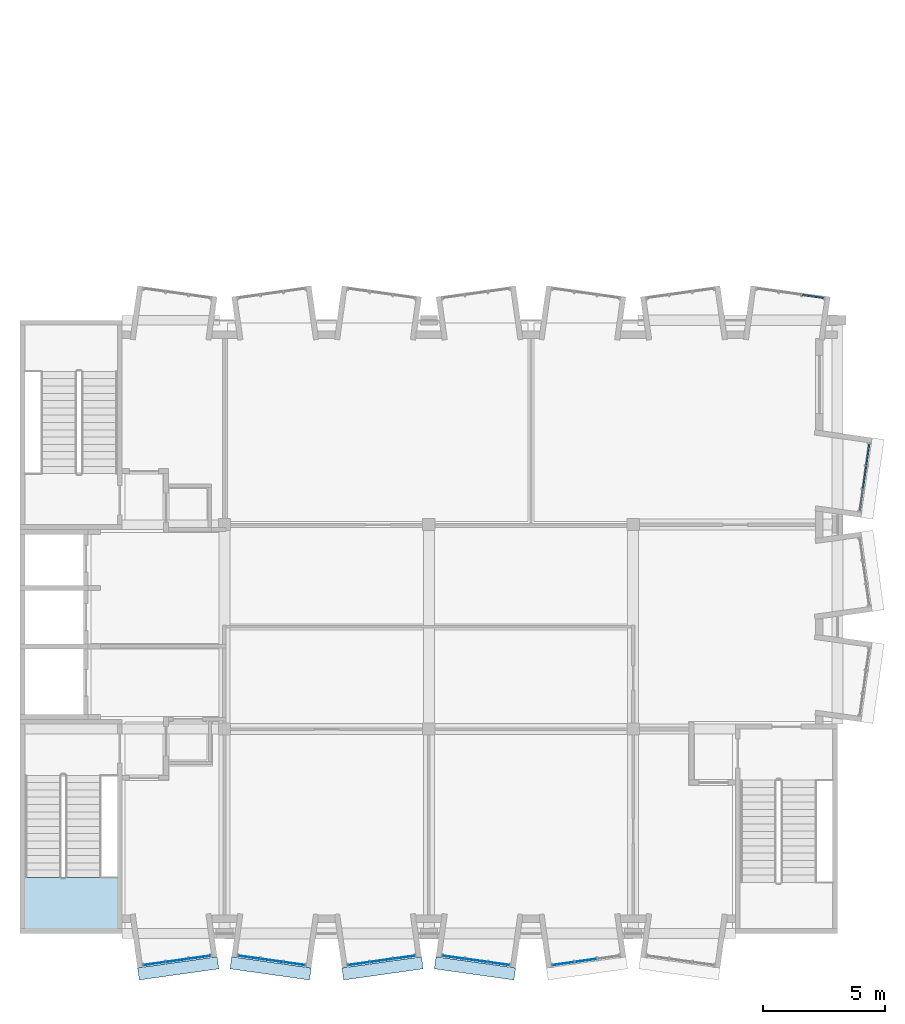
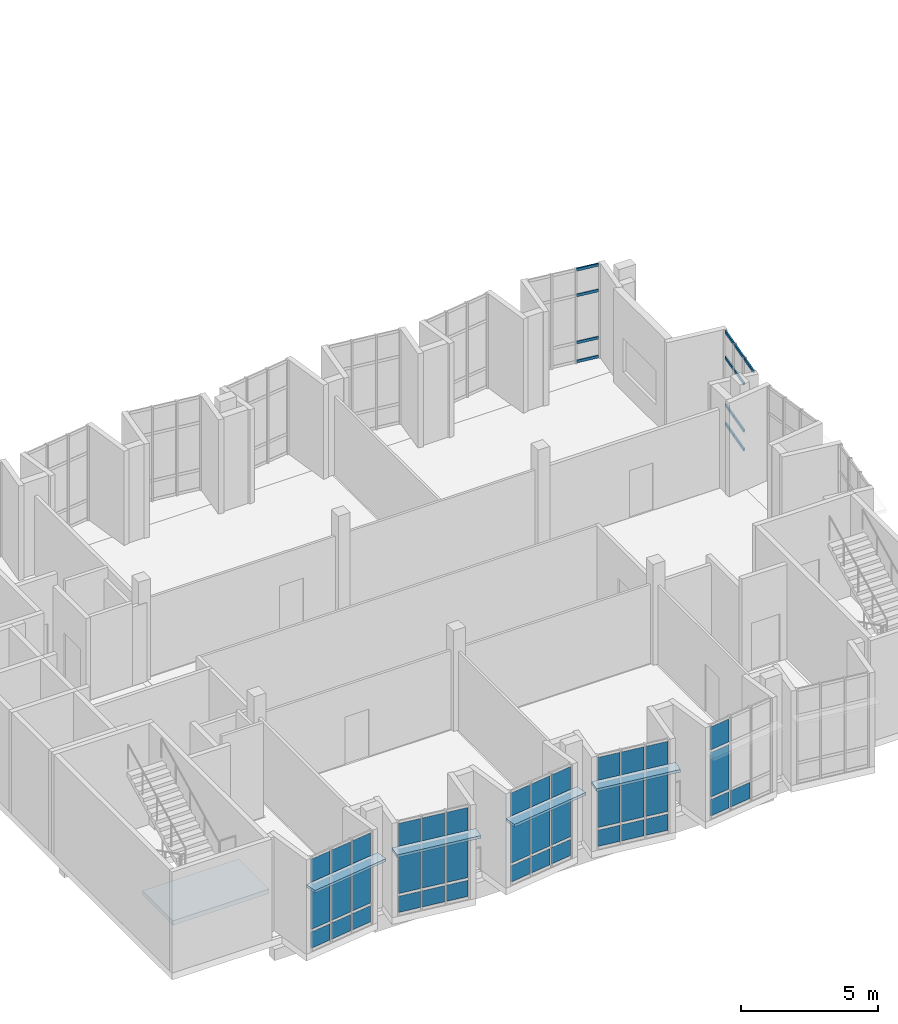
# One storey, part 8 of 18: 44 plates, 13 members, 1 slab, 8 elements without a shape of their own.
"""IFC4 building model written with IfcOpenShell, lengths in metres."""

from ifc_helpers import new_model, si_unit, direction, frame, origin, origin_2d, place, context, subcontext, project, spatial, polyline, rectangle, outline, extrude, material, layer, layer_set, material_profile, profile_set, type_object, element, aggregate, save


model = new_model("IFC4")

# Units and contexts
model_context = context("Model", 3, precision=1e-05, world=origin(), true_north=direction((0.0, 1.0)))
body_context = subcontext(model_context, "Body", "Model", "MODEL_VIEW")
ifc_project = project(units=[si_unit("LENGTHUNIT", "METRE"), si_unit("AREAUNIT", "SQUARE_METRE"), si_unit("VOLUMEUNIT", "CUBIC_METRE"), si_unit("PLANEANGLEUNIT", "RADIAN"), si_unit("MASSUNIT", "GRAM", prefix="KILO")], contexts=[model_context])

# Site, building, storey
site_placement = place(None, origin())
site = spatial("IfcSite", under=ifc_project, at=site_placement, CompositionType="ELEMENT")
building_placement = place(site_placement, origin())
building = spatial("IfcBuilding", under=site, at=building_placement, Name="Kiln Court Media Centre", CompositionType="ELEMENT")
storey_placement = place(building_placement, frame((0.0, 0.0, 33.60009765625)))
storey = spatial("IfcBuildingStorey", under=building, at=storey_placement, Name="L07", CompositionType="ELEMENT", Elevation=33.60009765625)

# Curtain wall, members
ifc_material_1 = material(Name="Aluminium 6063-T6", Category="aluminium")
ifc_layer_1 = layer(ifc_material_1, 0.1201171875)
ifc_layer_set_1 = layer_set([ifc_layer_1], Name="Aluminium unitised bay curtain wall")
curtain_wall_type = type_object("IfcCurtainWallType", Name="Aluminium unitised bay curtain wall", PredefinedType="USERDEFINED", material=ifc_layer_set_1)
curtain_wall_1_placement = place(storey_placement, origin())
curtain_wall_1 = element("IfcCurtainWall", 1, at=curtain_wall_1_placement, inside=storey, type_object=curtain_wall_type, Name="BAY V6A-E-L07-16 front", ObjectType="UNITISED CURTAIN WALL", PredefinedType="USERDEFINED")
ifc_material_2 = material(Name="Aluminium 6063-T6", Category="aluminium")
ifc_material_profile = material_profile(ifc_material_2, rectangle(XDim=0.06005859375, YDim=0.1201171875, at=origin_2d()), Name="Aluminium transom 60x120")
ifc_profile_set = profile_set([ifc_material_profile], Name="Aluminium 6063-T6")
member_type = type_object("IfcMemberType", Name="Aluminium transom 60x120", PredefinedType="USERDEFINED", material=ifc_profile_set)
member_1_placement = place(storey_placement, frame((34.517822265625, 17.382568359375, 4.139892578125), z_axis=(0.139172815303, 0.990268108888, 0.0), x_axis=(-0.990268108888, 0.139172815303, 0.0)))
member_1 = element("IfcMember", 2, at=member_1_placement, type_object=member_type, Name="CW7-03 transom 1.4", ObjectType="TRANSOM", PredefinedType="USERDEFINED", context=body_context, shape_type="SweptSolid", body=[
    extrude(rectangle(XDim=0.06005859375, YDim=0.1201171875, at=origin_2d()), origin(), (0.0, 0.0, 1.0), 0.86669921875),
])
member_2_placement = place(storey_placement, frame((34.646728515625, 18.30029296875, 0.059814453125), z_axis=(0.13913384707, 0.990273584723, 0.0), x_axis=(-0.990273584723, 0.13913384707, 0.0)))
member_2 = element("IfcMember", 3, at=member_2_placement, type_object=member_type, Name="CW7-03 transom 2.1", ObjectType="TRANSOM", PredefinedType="USERDEFINED", context=body_context, shape_type="SweptSolid", body=[
    extrude(rectangle(XDim=0.06005859375, YDim=0.1201171875, at=origin_2d()), origin(), (0.0, 0.0, 1.0), 0.896728515625),
])
member_3_placement = place(storey_placement, frame((34.646728515625, 18.30029296875, 0.89990234375), z_axis=(0.13913384707, 0.990273584723, 0.0), x_axis=(-0.990273584723, 0.13913384707, 0.0)))
member_3 = element("IfcMember", 4, at=member_3_placement, type_object=member_type, Name="CW7-03 transom 2.2", ObjectType="TRANSOM", PredefinedType="USERDEFINED", context=body_context, shape_type="SweptSolid", body=[
    extrude(rectangle(XDim=0.06005859375, YDim=0.1201171875, at=origin_2d()), origin(), (0.0, 0.0, 1.0), 0.896728515625),
])
member_4_placement = place(storey_placement, frame((34.646728515625, 18.30029296875, 3.0), z_axis=(0.13913384707, 0.990273584723, 0.0), x_axis=(-0.990273584723, 0.13913384707, 0.0)))
member_4 = element("IfcMember", 5, at=member_4_placement, type_object=member_type, Name="CW7-03 transom 2.3", ObjectType="TRANSOM", PredefinedType="USERDEFINED", context=body_context, shape_type="SweptSolid", body=[
    extrude(rectangle(XDim=0.06005859375, YDim=0.1201171875, at=origin_2d()), origin(), (0.0, 0.0, 1.0), 0.896728515625),
])
member_5_placement = place(storey_placement, frame((34.646728515625, 18.30029296875, 4.139892578125), z_axis=(0.13913384707, 0.990273584723, 0.0), x_axis=(-0.990273584723, 0.13913384707, 0.0)))
member_5 = element("IfcMember", 6, at=member_5_placement, type_object=member_type, Name="CW7-03 transom 2.4", ObjectType="TRANSOM", PredefinedType="USERDEFINED", context=body_context, shape_type="SweptSolid", body=[
    extrude(rectangle(XDim=0.06005859375, YDim=0.1201171875, at=origin_2d()), origin(), (0.0, 0.0, 1.0), 0.896728515625),
])
member_6_placement = place(storey_placement, frame((34.77978515625, 19.24755859375, 0.059814453125), z_axis=(0.139172815303, 0.990268108888, 0.0), x_axis=(-0.990268108888, 0.139172815303, 0.0)))
member_6 = element("IfcMember", 7, at=member_6_placement, type_object=member_type, Name="CW7-03 transom 3.1", ObjectType="TRANSOM", PredefinedType="USERDEFINED", context=body_context, shape_type="SweptSolid", body=[
    extrude(rectangle(XDim=0.06005859375, YDim=0.1201171875, at=origin_2d()), origin(), (0.0, 0.0, 1.0), 0.86669921875),
])
member_7_placement = place(storey_placement, frame((34.77978515625, 19.24755859375, 0.89990234375), z_axis=(0.139172815303, 0.990268108888, 0.0), x_axis=(-0.990268108888, 0.139172815303, 0.0)))
member_7 = element("IfcMember", 8, at=member_7_placement, type_object=member_type, Name="CW7-03 transom 3.2", ObjectType="TRANSOM", PredefinedType="USERDEFINED", context=body_context, shape_type="SweptSolid", body=[
    extrude(rectangle(XDim=0.06005859375, YDim=0.1201171875, at=origin_2d()), origin(), (0.0, 0.0, 1.0), 0.86669921875),
])
member_8_placement = place(storey_placement, frame((34.77978515625, 19.24755859375, 3.0), z_axis=(0.139172815303, 0.990268108888, 0.0), x_axis=(-0.990268108888, 0.139172815303, 0.0)))
member_8 = element("IfcMember", 9, at=member_8_placement, type_object=member_type, Name="CW7-03 transom 3.3", ObjectType="TRANSOM", PredefinedType="USERDEFINED", context=body_context, shape_type="SweptSolid", body=[
    extrude(rectangle(XDim=0.06005859375, YDim=0.1201171875, at=origin_2d()), origin(), (0.0, 0.0, 1.0), 0.86669921875),
])
member_9_placement = place(storey_placement, frame((34.77978515625, 19.24755859375, 4.139892578125), z_axis=(0.139172815303, 0.990268108888, 0.0), x_axis=(-0.990268108888, 0.139172815303, 0.0)))
member_9 = element("IfcMember", 10, at=member_9_placement, type_object=member_type, Name="CW7-03 transom 3.4", ObjectType="TRANSOM", PredefinedType="USERDEFINED", context=body_context, shape_type="SweptSolid", body=[
    extrude(rectangle(XDim=0.06005859375, YDim=0.1201171875, at=origin_2d()), origin(), (0.0, 0.0, 1.0), 0.86669921875),
])
aggregate(curtain_wall_1, [member_1, member_2, member_3, member_4, member_5, member_6, member_7, member_8, member_9])

curtain_wall_2_placement = place(storey_placement, origin())
curtain_wall_2 = element("IfcCurtainWall", 11, at=curtain_wall_2_placement, inside=storey, type_object=curtain_wall_type, Name="BAY V6A-N-L07-51 front", ObjectType="UNITISED CURTAIN WALL", PredefinedType="USERDEFINED")
member_10_placement = place(storey_placement, frame((32.1591796875, 26.23828125, 0.059814453125), z_axis=(0.990273563383, -0.139133998951, 0.0), x_axis=(0.139133998951, 0.990273563383, 0.0)))
member_10 = element("IfcMember", 12, at=member_10_placement, type_object=member_type, Name="CW7-10 transom 3.1", ObjectType="TRANSOM", PredefinedType="USERDEFINED", context=body_context, shape_type="SweptSolid", body=[
    extrude(rectangle(XDim=0.06005859375, YDim=0.1201171875, at=origin_2d()), origin(), (0.0, 0.0, 1.0), 0.866943359375),
])
member_11_placement = place(storey_placement, frame((32.1591796875, 26.23828125, 0.89990234375), z_axis=(0.990273563383, -0.139133998951, 0.0), x_axis=(0.139133998951, 0.990273563383, 0.0)))
member_11 = element("IfcMember", 13, at=member_11_placement, type_object=member_type, Name="CW7-10 transom 3.2", ObjectType="TRANSOM", PredefinedType="USERDEFINED", context=body_context, shape_type="SweptSolid", body=[
    extrude(rectangle(XDim=0.06005859375, YDim=0.1201171875, at=origin_2d()), origin(), (0.0, 0.0, 1.0), 0.866943359375),
])
member_12_placement = place(storey_placement, frame((32.1591796875, 26.23828125, 3.0), z_axis=(0.990273563383, -0.139133998951, 0.0), x_axis=(0.139133998951, 0.990273563383, 0.0)))
member_12 = element("IfcMember", 14, at=member_12_placement, type_object=member_type, Name="CW7-10 transom 3.3", ObjectType="TRANSOM", PredefinedType="USERDEFINED", context=body_context, shape_type="SweptSolid", body=[
    extrude(rectangle(XDim=0.06005859375, YDim=0.1201171875, at=origin_2d()), origin(), (0.0, 0.0, 1.0), 0.866943359375),
])
member_13_placement = place(storey_placement, frame((32.1591796875, 26.23828125, 4.139892578125), z_axis=(0.990273563383, -0.139133998951, 0.0), x_axis=(0.139133998951, 0.990273563383, 0.0)))
member_13 = element("IfcMember", 15, at=member_13_placement, type_object=member_type, Name="CW7-10 transom 3.4", ObjectType="TRANSOM", PredefinedType="USERDEFINED", context=body_context, shape_type="SweptSolid", body=[
    extrude(rectangle(XDim=0.06005859375, YDim=0.1201171875, at=origin_2d()), origin(), (0.0, 0.0, 1.0), 0.866943359375),
])
aggregate(curtain_wall_2, [member_10, member_11, member_12, member_13])

# Plates
ifc_material_3 = material(Name="Concrete C30/37", Category="concrete")
ifc_layer_2 = layer(ifc_material_3, 0.1201171875)
ifc_layer_set_2 = layer_set([ifc_layer_2], Name="Concrete C30/37 sunshade hood 120")
plate_type_1 = type_object("IfcPlateType", Name="Concrete C30/37 sunshade hood 120", PredefinedType="USERDEFINED", material=ifc_layer_set_2)
plate_1_placement = place(storey_placement, frame((0.0, 0.0, 3.0)))
element("IfcPlate", 16, at=plate_1_placement, inside=storey, type_object=plate_type_1, Name="SUNSHADE V6A-S-L07-47", ObjectType="SUNSHADE", PredefinedType="USERDEFINED", context=body_context, shape_type="SweptSolid", body=[
    extrude(outline(polyline([(4.8330078125, -1.41796875), (8.10107421875, -0.958740234375), (8.17041015625, -1.453857421875), (4.902587890625, -1.9130859375), (4.8330078125, -1.41796875)])), origin(), (0.0, 0.0, 1.0), 0.119873046875),
])
plate_2_placement = place(storey_placement, frame((0.0, 0.0, 3.0)))
element("IfcPlate", 17, at=plate_2_placement, inside=storey, type_object=plate_type_1, Name="SUNSHADE V6A-S-L07-48", ObjectType="SUNSHADE", PredefinedType="USERDEFINED", context=body_context, shape_type="SweptSolid", body=[
    extrude(outline(polyline([(8.698974609375, -0.958740234375), (11.966796875, -1.41796875), (11.897216796875, -1.9130859375), (8.62939453125, -1.453857421875), (8.698974609375, -0.958740234375)])), origin(), (0.0, 0.0, 1.0), 0.119873046875),
])
plate_3_placement = place(storey_placement, frame((0.0, 0.0, 3.0)))
element("IfcPlate", 18, at=plate_3_placement, inside=storey, type_object=plate_type_1, Name="SUNSHADE V6A-S-L07-49", ObjectType="SUNSHADE", PredefinedType="USERDEFINED", context=body_context, shape_type="SweptSolid", body=[
    extrude(outline(polyline([(13.233154296875, -1.41796875), (16.5009765625, -0.958740234375), (16.570556640625, -1.453857421875), (13.302734375, -1.9130859375), (13.233154296875, -1.41796875)])), origin(), (0.0, 0.0, 1.0), 0.119873046875),
])
plate_4_placement = place(storey_placement, frame((0.0, 0.0, 3.0)))
element("IfcPlate", 19, at=plate_4_placement, inside=storey, type_object=plate_type_1, Name="SUNSHADE V6A-S-L07-50", ObjectType="SUNSHADE", PredefinedType="USERDEFINED", context=body_context, shape_type="SweptSolid", body=[
    extrude(outline(polyline([(17.09912109375, -0.958740234375), (20.366943359375, -1.41796875), (20.29736328125, -1.9130859375), (17.029541015625, -1.453857421875), (17.09912109375, -0.958740234375)])), origin(), (0.0, 0.0, 1.0), 0.119873046875),
])

# Stair, slab
ifc_material_4 = material(Name="Concrete C40/50", Category="concrete")
stair_type = type_object("IfcStairType", Name="Concrete C40/50 dog-leg stair 1500 wide, 150 riser", PredefinedType="HALF_TURN_STAIR", material=ifc_material_4)
stair_placement = place(storey_placement, origin())
stair = element("IfcStair", 20, at=stair_placement, inside=storey, type_object=stair_type, Name="ST-01 L07", PredefinedType="HALF_TURN_STAIR")
ifc_material_5 = material(Name="Concrete C40/50", Category="concrete")
ifc_layer_3 = layer(ifc_material_5, 0.199951171875)
ifc_layer_set_3 = layer_set([ifc_layer_3], Name="Concrete C40/50 stair landing 200")
slab_type = type_object("IfcSlabType", Name="Concrete C40/50 stair landing 200", PredefinedType="LANDING", material=ifc_layer_set_3)
slab_placement = place(storey_placement, frame((0.0, 0.0, 2.0498046875)))
slab = element("IfcSlab", 21, at=slab_placement, type_object=slab_type, Name="L07-ST-5000 landing 5000", PredefinedType="LANDING", context=body_context, shape_type="SweptSolid", body=[
    extrude(outline(polyline([(0.080078125, 2.300048828125), (0.080078125, 0.080078125), (4.1201171875, 0.080078125), (4.1201171875, 2.300048828125), (0.080078125, 2.300048828125)])), origin(), (0.0, 0.0, 1.0), 0.2001953125),
])
aggregate(stair, [slab])

# Curtain wall, plates
curtain_wall_3_placement = place(storey_placement, origin())
curtain_wall_3 = element("IfcCurtainWall", 22, at=curtain_wall_3_placement, inside=storey, type_object=curtain_wall_type, Name="BAY V6A-S-L07-47 front", ObjectType="UNITISED CURTAIN WALL", PredefinedType="USERDEFINED")
ifc_material_6 = material(Name="Aluminium insulated spandrel", Category="aluminium")
ifc_layer_4 = layer(ifc_material_6, 0.028076171875)
ifc_layer_set_4 = layer_set([ifc_layer_4], Name="Insulated spandrel panel 28")
plate_type_2 = type_object("IfcPlateType", Name="Insulated spandrel panel 28", PredefinedType="CURTAIN_PANEL", material=ifc_layer_set_4)
plate_5_placement = place(storey_placement, frame((5.5234375, -1.240234375, 0.1201171875), z_axis=(0.0, 0.0, 1.0), x_axis=(0.990269562409, 0.139162472554, 0.0)))
plate_5 = element("IfcPlate", 23, at=plate_5_placement, type_object=plate_type_2, Name="CW7-11 panel 1.1", PredefinedType="CURTAIN_PANEL", context=body_context, shape_type="SweptSolid", body=[
    extrude(rectangle(XDim=0.86669921875, YDim=0.028076171875, at=origin_2d()), origin(), (0.0, 0.0, 1.0), 0.719970703125),
])
plate_6_placement = place(storey_placement, frame((6.455810546875, -1.109130859375, 0.1201171875), z_axis=(0.0, 0.0, 1.0), x_axis=(0.990269562409, 0.139162472554, 0.0)))
plate_6 = element("IfcPlate", 24, at=plate_6_placement, type_object=plate_type_2, Name="CW7-11 panel 2.1", PredefinedType="CURTAIN_PANEL", context=body_context, shape_type="SweptSolid", body=[
    extrude(rectangle(XDim=0.896728515625, YDim=0.028076171875, at=origin_2d()), origin(), (0.0, 0.0, 1.0), 0.719970703125),
])
plate_7_placement = place(storey_placement, frame((7.388427734375, -0.97802734375, 0.1201171875), z_axis=(0.0, 0.0, 1.0), x_axis=(0.990269562409, 0.139162472554, 0.0)))
plate_7 = element("IfcPlate", 25, at=plate_7_placement, type_object=plate_type_2, Name="CW7-11 panel 3.1", PredefinedType="CURTAIN_PANEL", context=body_context, shape_type="SweptSolid", body=[
    extrude(rectangle(XDim=0.86669921875, YDim=0.028076171875, at=origin_2d()), origin(), (0.0, 0.0, 1.0), 0.719970703125),
])

curtain_wall_4_placement = place(storey_placement, origin())
curtain_wall_4 = element("IfcCurtainWall", 26, at=curtain_wall_4_placement, inside=storey, type_object=curtain_wall_type, Name="BAY V6A-S-L07-48 front", ObjectType="UNITISED CURTAIN WALL", PredefinedType="USERDEFINED")
plate_8_placement = place(storey_placement, frame((9.41162109375, -0.97802734375, 0.1201171875), z_axis=(0.0, 0.0, 1.0), x_axis=(0.990269562409, -0.139162472554, 0.0)))
plate_8 = element("IfcPlate", 27, at=plate_8_placement, type_object=plate_type_2, Name="CW7-12 panel 1.1", PredefinedType="CURTAIN_PANEL", context=body_context, shape_type="SweptSolid", body=[
    extrude(rectangle(XDim=0.86669921875, YDim=0.028076171875, at=origin_2d()), origin(), (0.0, 0.0, 1.0), 0.719970703125),
])
plate_9_placement = place(storey_placement, frame((10.34423828125, -1.109130859375, 0.1201171875), z_axis=(0.0, 0.0, 1.0), x_axis=(0.990269562409, -0.139162472554, 0.0)))
plate_9 = element("IfcPlate", 28, at=plate_9_placement, type_object=plate_type_2, Name="CW7-12 panel 2.1", PredefinedType="CURTAIN_PANEL", context=body_context, shape_type="SweptSolid", body=[
    extrude(rectangle(XDim=0.896728515625, YDim=0.028076171875, at=origin_2d()), origin(), (0.0, 0.0, 1.0), 0.719970703125),
])
plate_10_placement = place(storey_placement, frame((11.276611328125, -1.240234375, 0.1201171875), z_axis=(0.0, 0.0, 1.0), x_axis=(0.990269562409, -0.139162472554, 0.0)))
plate_10 = element("IfcPlate", 29, at=plate_10_placement, type_object=plate_type_2, Name="CW7-12 panel 3.1", PredefinedType="CURTAIN_PANEL", context=body_context, shape_type="SweptSolid", body=[
    extrude(rectangle(XDim=0.86669921875, YDim=0.028076171875, at=origin_2d()), origin(), (0.0, 0.0, 1.0), 0.719970703125),
])

curtain_wall_5_placement = place(storey_placement, origin())
curtain_wall_5 = element("IfcCurtainWall", 30, at=curtain_wall_5_placement, inside=storey, type_object=curtain_wall_type, Name="BAY V6A-S-L07-49 front", ObjectType="UNITISED CURTAIN WALL", PredefinedType="USERDEFINED")
plate_11_placement = place(storey_placement, frame((13.92333984375, -1.240234375, 0.1201171875), z_axis=(0.0, 0.0, 1.0), x_axis=(0.990269562409, 0.139162472554, 0.0)))
plate_11 = element("IfcPlate", 31, at=plate_11_placement, type_object=plate_type_2, Name="CW7-13 panel 1.1", PredefinedType="CURTAIN_PANEL", context=body_context, shape_type="SweptSolid", body=[
    extrude(rectangle(XDim=0.86669921875, YDim=0.028076171875, at=origin_2d()), origin(), (0.0, 0.0, 1.0), 0.719970703125),
])
plate_12_placement = place(storey_placement, frame((14.85595703125, -1.109130859375, 0.1201171875), z_axis=(0.0, 0.0, 1.0), x_axis=(0.990269562409, 0.139162472554, 0.0)))
plate_12 = element("IfcPlate", 32, at=plate_12_placement, type_object=plate_type_2, Name="CW7-13 panel 2.1", PredefinedType="CURTAIN_PANEL", context=body_context, shape_type="SweptSolid", body=[
    extrude(rectangle(XDim=0.896728515625, YDim=0.028076171875, at=origin_2d()), origin(), (0.0, 0.0, 1.0), 0.719970703125),
])
plate_13_placement = place(storey_placement, frame((15.788330078125, -0.97802734375, 0.1201171875), z_axis=(0.0, 0.0, 1.0), x_axis=(0.990269562409, 0.139162472554, 0.0)))
plate_13 = element("IfcPlate", 33, at=plate_13_placement, type_object=plate_type_2, Name="CW7-13 panel 3.1", PredefinedType="CURTAIN_PANEL", context=body_context, shape_type="SweptSolid", body=[
    extrude(rectangle(XDim=0.86669921875, YDim=0.028076171875, at=origin_2d()), origin(), (0.0, 0.0, 1.0), 0.719970703125),
])

curtain_wall_6_placement = place(storey_placement, origin())
curtain_wall_6 = element("IfcCurtainWall", 34, at=curtain_wall_6_placement, inside=storey, type_object=curtain_wall_type, Name="BAY V6A-S-L07-50 front", ObjectType="UNITISED CURTAIN WALL", PredefinedType="USERDEFINED")
plate_14_placement = place(storey_placement, frame((17.8115234375, -0.97802734375, 0.1201171875), z_axis=(0.0, 0.0, 1.0), x_axis=(0.990269562409, -0.139162472554, 0.0)))
plate_14 = element("IfcPlate", 35, at=plate_14_placement, type_object=plate_type_2, Name="CW7-14 panel 1.1", PredefinedType="CURTAIN_PANEL", context=body_context, shape_type="SweptSolid", body=[
    extrude(rectangle(XDim=0.86669921875, YDim=0.028076171875, at=origin_2d()), origin(), (0.0, 0.0, 1.0), 0.719970703125),
])
plate_15_placement = place(storey_placement, frame((18.744140625, -1.109130859375, 0.1201171875), z_axis=(0.0, 0.0, 1.0), x_axis=(0.990269562409, -0.139162472554, 0.0)))
plate_15 = element("IfcPlate", 36, at=plate_15_placement, type_object=plate_type_2, Name="CW7-14 panel 2.1", PredefinedType="CURTAIN_PANEL", context=body_context, shape_type="SweptSolid", body=[
    extrude(rectangle(XDim=0.896728515625, YDim=0.028076171875, at=origin_2d()), origin(), (0.0, 0.0, 1.0), 0.719970703125),
])
plate_16_placement = place(storey_placement, frame((19.6767578125, -1.240234375, 0.1201171875), z_axis=(0.0, 0.0, 1.0), x_axis=(0.990269562409, -0.139162472554, 0.0)))
plate_16 = element("IfcPlate", 37, at=plate_16_placement, type_object=plate_type_2, Name="CW7-14 panel 3.1", PredefinedType="CURTAIN_PANEL", context=body_context, shape_type="SweptSolid", body=[
    extrude(rectangle(XDim=0.86669921875, YDim=0.028076171875, at=origin_2d()), origin(), (0.0, 0.0, 1.0), 0.719970703125),
])

curtain_wall_7_placement = place(storey_placement, origin())
curtain_wall_7 = element("IfcCurtainWall", 38, at=curtain_wall_7_placement, inside=storey, type_object=curtain_wall_type, Name="BAY V6A-S-L07-51 front", ObjectType="UNITISED CURTAIN WALL", PredefinedType="USERDEFINED")
plate_17_placement = place(storey_placement, frame((22.3232421875, -1.240234375, 0.1201171875), z_axis=(0.0, 0.0, 1.0), x_axis=(0.990269562409, 0.139162472554, 0.0)))
plate_17 = element("IfcPlate", 39, at=plate_17_placement, type_object=plate_type_2, Name="CW7-15 panel 1.1", PredefinedType="CURTAIN_PANEL", context=body_context, shape_type="SweptSolid", body=[
    extrude(rectangle(XDim=0.86669921875, YDim=0.028076171875, at=origin_2d()), origin(), (0.0, 0.0, 1.0), 0.719970703125),
])
plate_18_placement = place(storey_placement, frame((23.255859375, -1.109130859375, 0.1201171875), z_axis=(0.0, 0.0, 1.0), x_axis=(0.990269562409, 0.139162472554, 0.0)))
plate_18 = element("IfcPlate", 40, at=plate_18_placement, type_object=plate_type_2, Name="CW7-15 panel 2.1", PredefinedType="CURTAIN_PANEL", context=body_context, shape_type="SweptSolid", body=[
    extrude(rectangle(XDim=0.896728515625, YDim=0.028076171875, at=origin_2d()), origin(), (0.0, 0.0, 1.0), 0.719970703125),
])

# Plate
ifc_material_7 = material(Name="Low-E double glazing", Category="glass")
ifc_layer_5 = layer(ifc_material_7, 0.028076171875)
ifc_layer_set_5 = layer_set([ifc_layer_5], Name="Low-E double glazed panel 28")
plate_type_3 = type_object("IfcPlateType", Name="Low-E double glazed panel 28", PredefinedType="CURTAIN_PANEL", material=ifc_layer_set_5)
plate_19_placement = place(storey_placement, frame((5.5234375, -1.240234375, 0.9599609375), z_axis=(0.0, 0.0, 1.0), x_axis=(0.990269562409, 0.139162472554, 0.0)))
plate_19 = element("IfcPlate", 41, at=plate_19_placement, type_object=plate_type_3, Name="CW7-11 panel 1.2", PredefinedType="CURTAIN_PANEL", context=body_context, shape_type="SweptSolid", body=[
    extrude(rectangle(XDim=0.86669921875, YDim=0.028076171875, at=origin_2d()), origin(), (0.0, 0.0, 1.0), 1.97998046875),
])

plate_20_placement = place(storey_placement, frame((5.5234375, -1.240234375, 3.059814453125), z_axis=(0.0, 0.0, 1.0), x_axis=(0.990269562409, 0.139162472554, 0.0)))
plate_20 = element("IfcPlate", 42, at=plate_20_placement, type_object=plate_type_3, Name="CW7-11 panel 1.3", PredefinedType="CURTAIN_PANEL", context=body_context, shape_type="SweptSolid", body=[
    extrude(rectangle(XDim=0.86669921875, YDim=0.028076171875, at=origin_2d()), origin(), (0.0, 0.0, 1.0), 1.02001953125),
])

plate_21_placement = place(storey_placement, frame((6.455810546875, -1.109130859375, 0.9599609375), z_axis=(0.0, 0.0, 1.0), x_axis=(0.990269562409, 0.139162472554, 0.0)))
plate_21 = element("IfcPlate", 43, at=plate_21_placement, type_object=plate_type_3, Name="CW7-11 panel 2.2", PredefinedType="CURTAIN_PANEL", context=body_context, shape_type="SweptSolid", body=[
    extrude(rectangle(XDim=0.896728515625, YDim=0.028076171875, at=origin_2d()), origin(), (0.0, 0.0, 1.0), 1.97998046875),
])

plate_22_placement = place(storey_placement, frame((6.455810546875, -1.109130859375, 3.059814453125), z_axis=(0.0, 0.0, 1.0), x_axis=(0.990269562409, 0.139162472554, 0.0)))
plate_22 = element("IfcPlate", 44, at=plate_22_placement, type_object=plate_type_3, Name="CW7-11 panel 2.3", PredefinedType="CURTAIN_PANEL", context=body_context, shape_type="SweptSolid", body=[
    extrude(rectangle(XDim=0.896728515625, YDim=0.028076171875, at=origin_2d()), origin(), (0.0, 0.0, 1.0), 1.02001953125),
])

plate_23_placement = place(storey_placement, frame((7.388427734375, -0.97802734375, 0.9599609375), z_axis=(0.0, 0.0, 1.0), x_axis=(0.990269562409, 0.139162472554, 0.0)))
plate_23 = element("IfcPlate", 45, at=plate_23_placement, type_object=plate_type_3, Name="CW7-11 panel 3.2", PredefinedType="CURTAIN_PANEL", context=body_context, shape_type="SweptSolid", body=[
    extrude(rectangle(XDim=0.86669921875, YDim=0.028076171875, at=origin_2d()), origin(), (0.0, 0.0, 1.0), 1.97998046875),
])

plate_24_placement = place(storey_placement, frame((7.388427734375, -0.97802734375, 3.059814453125), z_axis=(0.0, 0.0, 1.0), x_axis=(0.990269562409, 0.139162472554, 0.0)))
plate_24 = element("IfcPlate", 46, at=plate_24_placement, type_object=plate_type_3, Name="CW7-11 panel 3.3", PredefinedType="CURTAIN_PANEL", context=body_context, shape_type="SweptSolid", body=[
    extrude(rectangle(XDim=0.86669921875, YDim=0.028076171875, at=origin_2d()), origin(), (0.0, 0.0, 1.0), 1.02001953125),
])

aggregate(curtain_wall_3, [plate_5, plate_19, plate_20, plate_6, plate_21, plate_22, plate_7, plate_23, plate_24])

plate_25_placement = place(storey_placement, frame((9.41162109375, -0.97802734375, 0.9599609375), z_axis=(0.0, 0.0, 1.0), x_axis=(0.990269562409, -0.139162472554, 0.0)))
plate_25 = element("IfcPlate", 47, at=plate_25_placement, type_object=plate_type_3, Name="CW7-12 panel 1.2", PredefinedType="CURTAIN_PANEL", context=body_context, shape_type="SweptSolid", body=[
    extrude(rectangle(XDim=0.86669921875, YDim=0.028076171875, at=origin_2d()), origin(), (0.0, 0.0, 1.0), 1.97998046875),
])

plate_26_placement = place(storey_placement, frame((9.41162109375, -0.97802734375, 3.059814453125), z_axis=(0.0, 0.0, 1.0), x_axis=(0.990269562409, -0.139162472554, 0.0)))
plate_26 = element("IfcPlate", 48, at=plate_26_placement, type_object=plate_type_3, Name="CW7-12 panel 1.3", PredefinedType="CURTAIN_PANEL", context=body_context, shape_type="SweptSolid", body=[
    extrude(rectangle(XDim=0.86669921875, YDim=0.028076171875, at=origin_2d()), origin(), (0.0, 0.0, 1.0), 1.02001953125),
])

plate_27_placement = place(storey_placement, frame((10.34423828125, -1.109130859375, 0.9599609375), z_axis=(0.0, 0.0, 1.0), x_axis=(0.990269562409, -0.139162472554, 0.0)))
plate_27 = element("IfcPlate", 49, at=plate_27_placement, type_object=plate_type_3, Name="CW7-12 panel 2.2", PredefinedType="CURTAIN_PANEL", context=body_context, shape_type="SweptSolid", body=[
    extrude(rectangle(XDim=0.896728515625, YDim=0.028076171875, at=origin_2d()), origin(), (0.0, 0.0, 1.0), 1.97998046875),
])

plate_28_placement = place(storey_placement, frame((10.34423828125, -1.109130859375, 3.059814453125), z_axis=(0.0, 0.0, 1.0), x_axis=(0.990269562409, -0.139162472554, 0.0)))
plate_28 = element("IfcPlate", 50, at=plate_28_placement, type_object=plate_type_3, Name="CW7-12 panel 2.3", PredefinedType="CURTAIN_PANEL", context=body_context, shape_type="SweptSolid", body=[
    extrude(rectangle(XDim=0.896728515625, YDim=0.028076171875, at=origin_2d()), origin(), (0.0, 0.0, 1.0), 1.02001953125),
])

plate_29_placement = place(storey_placement, frame((11.276611328125, -1.240234375, 0.9599609375), z_axis=(0.0, 0.0, 1.0), x_axis=(0.990269562409, -0.139162472554, 0.0)))
plate_29 = element("IfcPlate", 51, at=plate_29_placement, type_object=plate_type_3, Name="CW7-12 panel 3.2", PredefinedType="CURTAIN_PANEL", context=body_context, shape_type="SweptSolid", body=[
    extrude(rectangle(XDim=0.86669921875, YDim=0.028076171875, at=origin_2d()), origin(), (0.0, 0.0, 1.0), 1.97998046875),
])

plate_30_placement = place(storey_placement, frame((11.276611328125, -1.240234375, 3.059814453125), z_axis=(0.0, 0.0, 1.0), x_axis=(0.990269562409, -0.139162472554, 0.0)))
plate_30 = element("IfcPlate", 52, at=plate_30_placement, type_object=plate_type_3, Name="CW7-12 panel 3.3", PredefinedType="CURTAIN_PANEL", context=body_context, shape_type="SweptSolid", body=[
    extrude(rectangle(XDim=0.86669921875, YDim=0.028076171875, at=origin_2d()), origin(), (0.0, 0.0, 1.0), 1.02001953125),
])

aggregate(curtain_wall_4, [plate_8, plate_25, plate_26, plate_9, plate_27, plate_28, plate_10, plate_29, plate_30])

plate_31_placement = place(storey_placement, frame((13.92333984375, -1.240234375, 0.9599609375), z_axis=(0.0, 0.0, 1.0), x_axis=(0.990269562409, 0.139162472554, 0.0)))
plate_31 = element("IfcPlate", 53, at=plate_31_placement, type_object=plate_type_3, Name="CW7-13 panel 1.2", PredefinedType="CURTAIN_PANEL", context=body_context, shape_type="SweptSolid", body=[
    extrude(rectangle(XDim=0.86669921875, YDim=0.028076171875, at=origin_2d()), origin(), (0.0, 0.0, 1.0), 1.97998046875),
])

plate_32_placement = place(storey_placement, frame((13.92333984375, -1.240234375, 3.059814453125), z_axis=(0.0, 0.0, 1.0), x_axis=(0.990269562409, 0.139162472554, 0.0)))
plate_32 = element("IfcPlate", 54, at=plate_32_placement, type_object=plate_type_3, Name="CW7-13 panel 1.3", PredefinedType="CURTAIN_PANEL", context=body_context, shape_type="SweptSolid", body=[
    extrude(rectangle(XDim=0.86669921875, YDim=0.028076171875, at=origin_2d()), origin(), (0.0, 0.0, 1.0), 1.02001953125),
])

plate_33_placement = place(storey_placement, frame((14.85595703125, -1.109130859375, 0.9599609375), z_axis=(0.0, 0.0, 1.0), x_axis=(0.990269562409, 0.139162472554, 0.0)))
plate_33 = element("IfcPlate", 55, at=plate_33_placement, type_object=plate_type_3, Name="CW7-13 panel 2.2", PredefinedType="CURTAIN_PANEL", context=body_context, shape_type="SweptSolid", body=[
    extrude(rectangle(XDim=0.896728515625, YDim=0.028076171875, at=origin_2d()), origin(), (0.0, 0.0, 1.0), 1.97998046875),
])

plate_34_placement = place(storey_placement, frame((14.85595703125, -1.109130859375, 3.059814453125), z_axis=(0.0, 0.0, 1.0), x_axis=(0.990269562409, 0.139162472554, 0.0)))
plate_34 = element("IfcPlate", 56, at=plate_34_placement, type_object=plate_type_3, Name="CW7-13 panel 2.3", PredefinedType="CURTAIN_PANEL", context=body_context, shape_type="SweptSolid", body=[
    extrude(rectangle(XDim=0.896728515625, YDim=0.028076171875, at=origin_2d()), origin(), (0.0, 0.0, 1.0), 1.02001953125),
])

plate_35_placement = place(storey_placement, frame((15.788330078125, -0.97802734375, 0.9599609375), z_axis=(0.0, 0.0, 1.0), x_axis=(0.990269562409, 0.139162472554, 0.0)))
plate_35 = element("IfcPlate", 57, at=plate_35_placement, type_object=plate_type_3, Name="CW7-13 panel 3.2", PredefinedType="CURTAIN_PANEL", context=body_context, shape_type="SweptSolid", body=[
    extrude(rectangle(XDim=0.86669921875, YDim=0.028076171875, at=origin_2d()), origin(), (0.0, 0.0, 1.0), 1.97998046875),
])

plate_36_placement = place(storey_placement, frame((15.788330078125, -0.97802734375, 3.059814453125), z_axis=(0.0, 0.0, 1.0), x_axis=(0.990269562409, 0.139162472554, 0.0)))
plate_36 = element("IfcPlate", 58, at=plate_36_placement, type_object=plate_type_3, Name="CW7-13 panel 3.3", PredefinedType="CURTAIN_PANEL", context=body_context, shape_type="SweptSolid", body=[
    extrude(rectangle(XDim=0.86669921875, YDim=0.028076171875, at=origin_2d()), origin(), (0.0, 0.0, 1.0), 1.02001953125),
])

aggregate(curtain_wall_5, [plate_11, plate_31, plate_32, plate_12, plate_33, plate_34, plate_13, plate_35, plate_36])

plate_37_placement = place(storey_placement, frame((17.8115234375, -0.97802734375, 0.9599609375), z_axis=(0.0, 0.0, 1.0), x_axis=(0.990269562409, -0.139162472554, 0.0)))
plate_37 = element("IfcPlate", 59, at=plate_37_placement, type_object=plate_type_3, Name="CW7-14 panel 1.2", PredefinedType="CURTAIN_PANEL", context=body_context, shape_type="SweptSolid", body=[
    extrude(rectangle(XDim=0.86669921875, YDim=0.028076171875, at=origin_2d()), origin(), (0.0, 0.0, 1.0), 1.97998046875),
])

plate_38_placement = place(storey_placement, frame((17.8115234375, -0.97802734375, 3.059814453125), z_axis=(0.0, 0.0, 1.0), x_axis=(0.990269562409, -0.139162472554, 0.0)))
plate_38 = element("IfcPlate", 60, at=plate_38_placement, type_object=plate_type_3, Name="CW7-14 panel 1.3", PredefinedType="CURTAIN_PANEL", context=body_context, shape_type="SweptSolid", body=[
    extrude(rectangle(XDim=0.86669921875, YDim=0.028076171875, at=origin_2d()), origin(), (0.0, 0.0, 1.0), 1.02001953125),
])

plate_39_placement = place(storey_placement, frame((18.744140625, -1.109130859375, 0.9599609375), z_axis=(0.0, 0.0, 1.0), x_axis=(0.990269562409, -0.139162472554, 0.0)))
plate_39 = element("IfcPlate", 61, at=plate_39_placement, type_object=plate_type_3, Name="CW7-14 panel 2.2", PredefinedType="CURTAIN_PANEL", context=body_context, shape_type="SweptSolid", body=[
    extrude(rectangle(XDim=0.896728515625, YDim=0.028076171875, at=origin_2d()), origin(), (0.0, 0.0, 1.0), 1.97998046875),
])

plate_40_placement = place(storey_placement, frame((18.744140625, -1.109130859375, 3.059814453125), z_axis=(0.0, 0.0, 1.0), x_axis=(0.990269562409, -0.139162472554, 0.0)))
plate_40 = element("IfcPlate", 62, at=plate_40_placement, type_object=plate_type_3, Name="CW7-14 panel 2.3", PredefinedType="CURTAIN_PANEL", context=body_context, shape_type="SweptSolid", body=[
    extrude(rectangle(XDim=0.896728515625, YDim=0.028076171875, at=origin_2d()), origin(), (0.0, 0.0, 1.0), 1.02001953125),
])

plate_41_placement = place(storey_placement, frame((19.6767578125, -1.240234375, 0.9599609375), z_axis=(0.0, 0.0, 1.0), x_axis=(0.990269562409, -0.139162472554, 0.0)))
plate_41 = element("IfcPlate", 63, at=plate_41_placement, type_object=plate_type_3, Name="CW7-14 panel 3.2", PredefinedType="CURTAIN_PANEL", context=body_context, shape_type="SweptSolid", body=[
    extrude(rectangle(XDim=0.86669921875, YDim=0.028076171875, at=origin_2d()), origin(), (0.0, 0.0, 1.0), 1.97998046875),
])

plate_42_placement = place(storey_placement, frame((19.6767578125, -1.240234375, 3.059814453125), z_axis=(0.0, 0.0, 1.0), x_axis=(0.990269562409, -0.139162472554, 0.0)))
plate_42 = element("IfcPlate", 64, at=plate_42_placement, type_object=plate_type_3, Name="CW7-14 panel 3.3", PredefinedType="CURTAIN_PANEL", context=body_context, shape_type="SweptSolid", body=[
    extrude(rectangle(XDim=0.86669921875, YDim=0.028076171875, at=origin_2d()), origin(), (0.0, 0.0, 1.0), 1.02001953125),
])

aggregate(curtain_wall_6, [plate_14, plate_37, plate_38, plate_15, plate_39, plate_40, plate_16, plate_41, plate_42])

plate_43_placement = place(storey_placement, frame((22.3232421875, -1.240234375, 0.9599609375), z_axis=(0.0, 0.0, 1.0), x_axis=(0.990269562409, 0.139162472554, 0.0)))
plate_43 = element("IfcPlate", 65, at=plate_43_placement, type_object=plate_type_3, Name="CW7-15 panel 1.2", PredefinedType="CURTAIN_PANEL", context=body_context, shape_type="SweptSolid", body=[
    extrude(rectangle(XDim=0.86669921875, YDim=0.028076171875, at=origin_2d()), origin(), (0.0, 0.0, 1.0), 1.97998046875),
])

plate_44_placement = place(storey_placement, frame((22.3232421875, -1.240234375, 3.059814453125), z_axis=(0.0, 0.0, 1.0), x_axis=(0.990269562409, 0.139162472554, 0.0)))
plate_44 = element("IfcPlate", 66, at=plate_44_placement, type_object=plate_type_3, Name="CW7-15 panel 1.3", PredefinedType="CURTAIN_PANEL", context=body_context, shape_type="SweptSolid", body=[
    extrude(rectangle(XDim=0.86669921875, YDim=0.028076171875, at=origin_2d()), origin(), (0.0, 0.0, 1.0), 1.02001953125),
])

aggregate(curtain_wall_7, [plate_17, plate_43, plate_44, plate_18])

save(model, "model.ifc")
